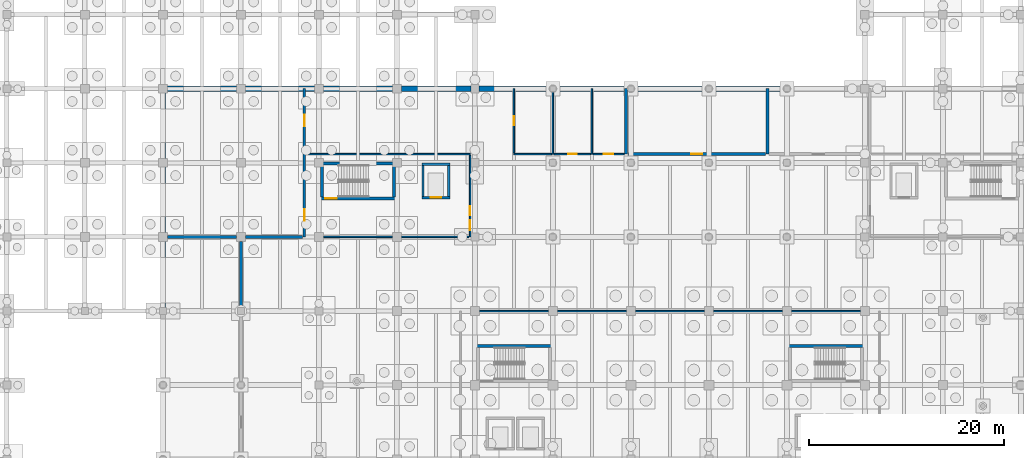
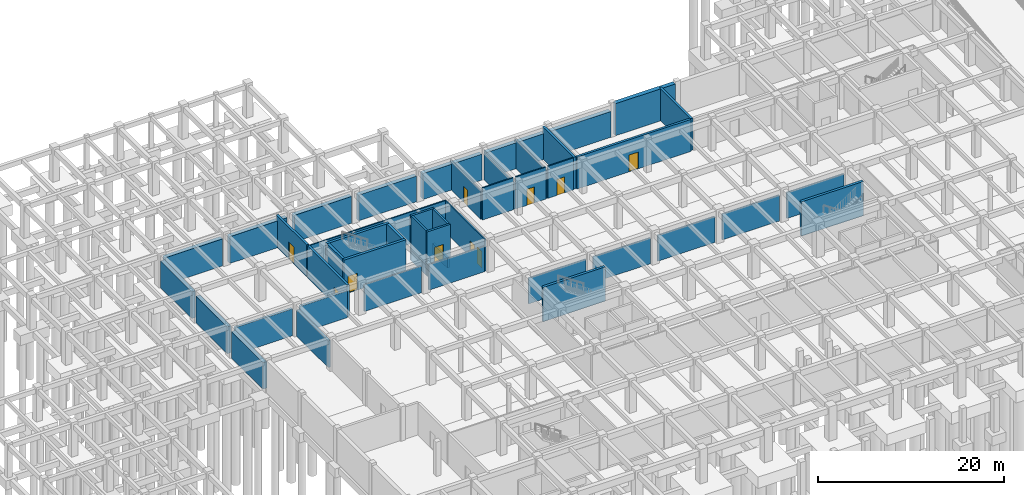
# One storey, part 37 of 49: 48 walls, 10 doors, 10 openings.
"""IFC4 building model written with IfcOpenShell, lengths in metres."""

from ifc_helpers import new_model, si_unit, direction, frame, frame_2d, origin, place, context, subcontext, project, spatial, rectangle, extrude, material, layer, layer_set, type_object, element, fill, save


model = new_model("IFC4")

# Units and contexts
model_context = context("Model", 3, precision=1e-05, world=origin(), true_north=direction((0.0, 1.0)))
body_context = subcontext(model_context, "Body", "Model", "MODEL_VIEW")
ifc_project = project(units=[si_unit("LENGTHUNIT", "METRE"), si_unit("AREAUNIT", "SQUARE_METRE"), si_unit("VOLUMEUNIT", "CUBIC_METRE"), si_unit("PLANEANGLEUNIT", "RADIAN"), si_unit("MASSUNIT", "GRAM", prefix="KILO")], contexts=[model_context])

# Site, building, storey
site_placement = place(None, origin())
site = spatial("IfcSite", under=ifc_project, at=site_placement, CompositionType="ELEMENT")
building_placement = place(site_placement, origin())
building = spatial("IfcBuilding", under=site, at=building_placement, Name="Zantavel Square City Hall", CompositionType="ELEMENT")
storey_placement = place(building_placement, frame((0.0, 0.0, -4.5)))
storey = spatial("IfcBuildingStorey", under=building, at=storey_placement, Name="B1", CompositionType="ELEMENT", Elevation=-4.5)

# Walls
ifc_material_1 = material(Name="Concrete C35/45", Category="concrete")
ifc_layer_1 = layer(ifc_material_1, 0.280029296875, Name="Concrete C35/45")
ifc_layer_set_1 = layer_set([ifc_layer_1], Name="Concrete C35/45")
wall_type_1 = type_object("IfcWallType", Name="Archive & Substation Vault Wall 280mm", PredefinedType="STANDARD", material=ifc_layer_set_1)
wall_1_placement = place(storey_placement, frame((79.5, 91.199951171875, 0.0), z_axis=(0.0, 0.0, 1.0), x_axis=(0.0, -1.0, 0.0)))
element("IfcWall", 1, at=wall_1_placement, inside=storey, type_object=wall_type_1, Name="B1 Interior Wall IW-B1-0006", PredefinedType="STANDARD", context=body_context, shape_type="SweptSolid", body=[
    extrude(rectangle(XDim=6.699951171875, YDim=0.280029296875, at=frame_2d((3.35009765625, 0.0))), origin(), (0.0, 0.0, 1.0), 4.199951171875),
])
wall_2_placement = place(storey_placement, frame((32.4599609375, 76.0, 0.0), z_axis=(0.0, 0.0, 1.0), x_axis=(1.0, 0.0, 0.0)))
element("IfcWall", 2, at=wall_2_placement, inside=storey, type_object=wall_type_1, Name="B1 Interior Wall IW-B1-0012", PredefinedType="STANDARD", context=body_context, shape_type="SweptSolid", body=[
    extrude(rectangle(XDim=7.080078125, YDim=0.280029296875, at=frame_2d((3.5400390625, 0.0))), origin(), (0.0, 0.0, 1.0), 3.550048828125),
])
wall_3_placement = place(storey_placement, frame((40.0, 75.5400390625, 0.0), z_axis=(0.0, 0.0, 1.0), x_axis=(0.0, -1.0, 0.0)))
element("IfcWall", 3, at=wall_3_placement, inside=storey, type_object=wall_type_1, Name="B1 Interior Wall IW-B1-0013", PredefinedType="STANDARD", context=body_context, shape_type="SweptSolid", body=[
    extrude(rectangle(XDim=6.755126953125, YDim=0.280029296875, at=frame_2d((3.37744140625, 0.0))), origin(), (0.0, 0.0, 1.0), 3.47998046875),
])

# Wall, opening, door
wall_4_placement = place(storey_placement, frame((46.5, 84.5, 0.0), z_axis=(0.0, 0.0, 1.0), x_axis=(0.0, -1.0, 0.0)))
wall_4 = element("IfcWall", 4, at=wall_4_placement, inside=storey, type_object=wall_type_1, Name="B1 Interior Wall IW-B1-0016", PredefinedType="STANDARD", context=body_context, shape_type="SweptSolid", body=[
    extrude(rectangle(XDim=8.5, YDim=0.280029296875, at=frame_2d((4.25, 0.0))), origin(), (0.0, 0.0, 1.0), 4.159912109375),
])
opening_1_placement = place(wall_4_placement, frame((5.675048828125, 0.0, 0.0)))
opening_1 = element("IfcOpeningElement", 5, at=opening_1_placement, cuts=wall_4, Name="Opening D-0007", PredefinedType="OPENING", context=body_context, shape_type="SweptSolid", body=[
    extrude(rectangle(XDim=1.14990234375, YDim=2.199951171875, at=frame_2d((0.574951171875, 1.10009765625))), frame((0.0, 0.14990234375, 0.0), z_axis=(0.0, -1.0, 0.0), x_axis=(1.0, 0.0, 0.0)), (0.0, 0.0, 1.0), 0.300048828125),
])
ifc_material_2 = material(Name="Steel ASTM A500 Grade B", Category="steel")
door_type_1 = type_object("IfcDoorType", Name="Archive & Plant Fire Door 1150x2200 FD90S", OperationType="NOTDEFINED", PredefinedType="DOOR", material=ifc_material_2)
door_1_placement = place(opening_1_placement, origin())
door_1 = element("IfcDoor", 6, at=door_1_placement, inside=storey, type_object=door_type_1, Name="B1 Fire Pump and Cistern Room Door", OperationType="SINGLE_SWING_LEFT", OverallHeight=2.199951171875, OverallWidth=1.14990234375, PredefinedType="DOOR", context=body_context, shape_type="SweptSolid", body=[
    extrude(rectangle(XDim=1.14990234375, YDim=2.199951171875, at=frame_2d((0.574951171875, 1.10009765625))), frame((0.0, 0.02490234375, 0.0), z_axis=(0.0, -1.0, 0.0), x_axis=(1.0, 0.0, 0.0)), (0.0, 0.0, 1.0), 0.050048828125),
])
fill(opening_1, door_1)

# Wall
wall_5_placement = place(storey_placement, frame((46.31005859375, 76.0, 0.0), z_axis=(0.0, 0.0, 1.0), x_axis=(-1.0, 0.0, 0.0)))
element("IfcWall", 7, at=wall_5_placement, inside=storey, type_object=wall_type_1, Name="B1 Interior Wall IW-B1-0017", PredefinedType="STANDARD", context=body_context, shape_type="SweptSolid", body=[
    extrude(rectangle(XDim=5.85009765625, YDim=0.280029296875, at=frame_2d((2.925048828125, 0.0))), origin(), (0.0, 0.0, 1.0), 3.510009765625),
])

# Wall, opening, door
wall_6_placement = place(storey_placement, frame((46.5, 91.199951171875, 0.0), z_axis=(0.0, 0.0, 1.0), x_axis=(0.0, -1.0, 0.0)))
wall_6 = element("IfcWall", 8, at=wall_6_placement, inside=storey, type_object=wall_type_1, Name="B1 Interior Wall IW-B1-0018", PredefinedType="STANDARD", context=body_context, shape_type="SweptSolid", body=[
    extrude(rectangle(XDim=6.510009765625, YDim=0.280029296875, at=frame_2d((3.2548828125, 0.0))), origin(), (0.0, 0.0, 1.0), 4.159912109375),
])
opening_2_placement = place(wall_6_placement, frame((2.679931640625, 0.0, 0.0)))
opening_2 = element("IfcOpeningElement", 9, at=opening_2_placement, cuts=wall_6, Name="Opening D-0008", PredefinedType="OPENING", context=body_context, shape_type="SweptSolid", body=[
    extrude(rectangle(XDim=1.14990234375, YDim=2.199951171875, at=frame_2d((0.574951171875, 1.10009765625))), frame((0.0, 0.14990234375, 0.0), z_axis=(0.0, -1.0, 0.0), x_axis=(1.0, 0.0, 0.0)), (0.0, 0.0, 1.0), 0.300048828125),
])
door_2_placement = place(opening_2_placement, origin())
door_2 = element("IfcDoor", 10, at=door_2_placement, inside=storey, type_object=door_type_1, Name="B1 Fire Pump and Cistern Room Door", OperationType="SINGLE_SWING_RIGHT", OverallHeight=2.199951171875, OverallWidth=1.14990234375, PredefinedType="DOOR", context=body_context, shape_type="SweptSolid", body=[
    extrude(rectangle(XDim=1.14990234375, YDim=2.199951171875, at=frame_2d((0.574951171875, 1.10009765625))), frame((0.0, 0.02490234375, 0.0), z_axis=(0.0, -1.0, 0.0), x_axis=(1.0, 0.0, 0.0)), (0.0, 0.0, 1.0), 0.050048828125),
])
fill(opening_2, door_2)

# Wall
wall_7_placement = place(storey_placement, frame((94.0, 91.199951171875, 0.0), z_axis=(0.0, 0.0, 1.0), x_axis=(0.0, -1.0, 0.0)))
element("IfcWall", 11, at=wall_7_placement, inside=storey, type_object=wall_type_1, Name="B1 Interior Wall IW-B1-0019", PredefinedType="STANDARD", context=body_context, shape_type="SweptSolid", body=[
    extrude(rectangle(XDim=6.699951171875, YDim=0.280029296875, at=frame_2d((3.35009765625, 0.0))), origin(), (0.0, 0.0, 1.0), 4.199951171875),
])

# Wall, opening, door
wall_8_placement = place(storey_placement, frame((93.81005859375, 84.5, 0.0), z_axis=(0.0, 0.0, 1.0), x_axis=(-1.0, 0.0, 0.0)))
wall_8 = element("IfcWall", 12, at=wall_8_placement, inside=storey, type_object=wall_type_1, Name="B1 Interior Wall IW-B1-0020", PredefinedType="STANDARD", context=body_context, shape_type="SweptSolid", body=[
    extrude(rectangle(XDim=14.1201171875, YDim=0.280029296875, at=frame_2d((7.06005859375, 0.0))), origin(), (0.0, 0.0, 1.0), 4.199951171875),
])
opening_3_placement = place(wall_8_placement, frame((6.485107421875, 0.0, 0.0)))
opening_3 = element("IfcOpeningElement", 13, at=opening_3_placement, cuts=wall_8, Name="Opening D-0009", PredefinedType="OPENING", context=body_context, shape_type="SweptSolid", body=[
    extrude(rectangle(XDim=1.14990234375, YDim=2.199951171875, at=frame_2d((0.574951171875, 1.10009765625))), frame((0.0, 0.14990234375, 0.0), z_axis=(0.0, -1.0, 0.0), x_axis=(1.0, 0.0, 0.0)), (0.0, 0.0, 1.0), 0.300048828125),
])
door_3_placement = place(opening_3_placement, origin())
door_3 = element("IfcDoor", 14, at=door_3_placement, inside=storey, type_object=door_type_1, Name="B1 Potable and Rainwater Cistern Room Door", OperationType="SINGLE_SWING_LEFT", OverallHeight=2.199951171875, OverallWidth=1.14990234375, PredefinedType="DOOR", context=body_context, shape_type="SweptSolid", body=[
    extrude(rectangle(XDim=1.14990234375, YDim=2.199951171875, at=frame_2d((0.574951171875, 1.10009765625))), frame((0.0, 0.02490234375, 0.0), z_axis=(0.0, -1.0, 0.0), x_axis=(1.0, 0.0, 0.0)), (0.0, 0.0, 1.0), 0.050048828125),
])
fill(opening_3, door_3)

# Walls
ifc_material_3 = material(Name="Concrete C40/50", Category="concrete")
ifc_layer_2 = layer(ifc_material_3, 0.47998046875, Name="Concrete C40/50")
ifc_layer_set_2 = layer_set([ifc_layer_2], Name="Concrete C40/50")
wall_type_2 = type_object("IfcWallType", Name="Basement Retaining Wall RC 480mm C40/50", PredefinedType="SHEAR", material=ifc_layer_set_2)
for number, where, z_axis, x_axis, name in (
    (15, (32.0, 76.449951171875, 0.0), (0.0, 0.0, 1.0), (0.0, 1.0, 0.0), "B1 Exterior Wall EW-B1-001"),
    (16, (32.0, 84.050048828125, 0.0), (0.0, 0.0, 1.0), (0.0, 1.0, 0.0), "B1 Exterior Wall EW-B1-002"),
):
    element("IfcWall", number, at=place(storey_placement, frame(where, z_axis=z_axis, x_axis=x_axis)), inside=storey, type_object=wall_type_2, Name=name, PredefinedType="SHEAR", context=body_context, shape_type="SweptSolid", body=[
        extrude(rectangle(XDim=6.699951171875, YDim=0.47998046875, at=frame_2d((3.35009765625, 0.0))), origin(), (0.0, 0.0, 1.0), 3.5),
    ])
wall_9_placement = place(storey_placement, frame((32.0, 68.77490234375, 0.0), z_axis=(0.0, 0.0, 1.0), x_axis=(0.0, 1.0, 0.0)))
element("IfcWall", 17, at=wall_9_placement, inside=storey, type_object=wall_type_2, Name="B1 Exterior Wall EW-B1-040", PredefinedType="SHEAR", context=body_context, shape_type="SweptSolid", body=[
    extrude(rectangle(XDim=6.775146484375, YDim=0.47998046875, at=frame_2d((3.3876953125, 0.0))), origin(), (0.0, 0.0, 1.0), 3.47998046875),
])
ifc_layer_3 = layer(ifc_material_3, 0.52001953125, Name="Concrete C40/50")
ifc_layer_set_3 = layer_set([ifc_layer_3], Name="Concrete C40/50")
wall_type_3 = type_object("IfcWallType", Name="Cistern Perimeter Retaining Wall RC 520mm C40/50", PredefinedType="SHEAR", material=ifc_layer_set_3)
wall_10_placement = place(storey_placement, frame((32.449951171875, 91.199951171875, 0.0), z_axis=(0.0, 0.0, 1.0), x_axis=(1.0, 0.0, 0.0)))
element("IfcWall", 18, at=wall_10_placement, inside=storey, type_object=wall_type_3, Name="B1 Exterior Wall EW-B1-003", PredefinedType="SHEAR", context=body_context, shape_type="SweptSolid", body=[
    extrude(rectangle(XDim=7.10009765625, YDim=0.52001953125, at=frame_2d((3.550048828125, 0.0))), origin(), (0.0, 0.0, 1.0), 3.550048828125),
])
for number, where, z_axis, x_axis, name in (
    (19, (40.449951171875, 91.199951171875, 0.0), (0.0, 0.0, 1.0), (1.0, 0.0, 0.0), "B1 Exterior Wall EW-B1-004"),
    (20, (48.449951171875, 91.199951171875, 0.0), (0.0, 0.0, 1.0), (1.0, 0.0, 0.0), "B1 Exterior Wall EW-B1-005"),
):
    element("IfcWall", number, at=place(storey_placement, frame(where, z_axis=z_axis, x_axis=x_axis)), inside=storey, type_object=wall_type_3, Name=name, PredefinedType="SHEAR", context=body_context, shape_type="SweptSolid", body=[
        extrude(rectangle(XDim=7.10009765625, YDim=0.52001953125, at=frame_2d((3.550048828125, 0.0))), origin(), (0.0, 0.0, 1.0), 3.510009765625),
    ])
wall_11_placement = place(storey_placement, frame((56.449951171875, 91.199951171875, 0.0), z_axis=(0.0, 0.0, 1.0), x_axis=(1.0, 0.0, 0.0)))
element("IfcWall", 21, at=wall_11_placement, inside=storey, type_object=wall_type_3, Name="B1 Exterior Wall EW-B1-006", PredefinedType="SHEAR", context=body_context, shape_type="SweptSolid", body=[
    extrude(rectangle(XDim=7.125, YDim=0.52001953125, at=frame_2d((3.5625, 0.0))), origin(), (0.0, 0.0, 1.0), 3.360107421875),
])
wall_12_placement = place(storey_placement, frame((64.425048828125, 91.199951171875, 0.0), z_axis=(0.0, 0.0, 1.0), x_axis=(1.0, 0.0, 0.0)))
element("IfcWall", 22, at=wall_12_placement, inside=storey, type_object=wall_type_3, Name="B1 Exterior Wall EW-B1-007", PredefinedType="SHEAR", context=body_context, shape_type="SweptSolid", body=[
    extrude(rectangle(XDim=7.27490234375, YDim=0.52001953125, at=frame_2d((3.637451171875, 0.0))), origin(), (0.0, 0.0, 1.0), 3.39990234375),
])
for number, where, z_axis, x_axis, name in (
    (23, (72.300048828125, 91.199951171875, 0.0), (0.0, 0.0, 1.0), (1.0, 0.0, 0.0), "B1 Exterior Wall EW-B1-008"),
    (24, (80.300048828125, 91.199951171875, 0.0), (0.0, 0.0, 1.0), (1.0, 0.0, 0.0), "B1 Exterior Wall EW-B1-009"),
):
    element("IfcWall", number, at=place(storey_placement, frame(where, z_axis=z_axis, x_axis=x_axis)), inside=storey, type_object=wall_type_3, Name=name, PredefinedType="SHEAR", context=body_context, shape_type="SweptSolid", body=[
        extrude(rectangle(XDim=7.39990234375, YDim=0.52001953125, at=frame_2d((3.699951171875, 0.0))), origin(), (0.0, 0.0, 1.0), 3.39990234375),
    ])
wall_13_placement = place(storey_placement, frame((88.300048828125, 91.199951171875, 0.0), z_axis=(0.0, 0.0, 1.0), x_axis=(1.0, 0.0, 0.0)))
element("IfcWall", 25, at=wall_13_placement, inside=storey, type_object=wall_type_3, Name="B1 Exterior Wall EW-B1-010", PredefinedType="SHEAR", context=body_context, shape_type="SweptSolid", body=[
    extrude(rectangle(XDim=7.39990234375, YDim=0.52001953125, at=frame_2d((3.699951171875, 0.0))), origin(), (0.0, 0.0, 1.0), 4.199951171875),
])

# Wall, opening, door
ifc_layer_4 = layer(ifc_material_3, 0.320068359375, Name="Concrete C40/50")
ifc_layer_set_4 = layer_set([ifc_layer_4], Name="Concrete C40/50")
wall_type_4 = type_object("IfcWallType", Name="Core Shear Wall RC 320mm C40/50", PredefinedType="SHEAR", material=ifc_layer_set_4)
wall_14_placement = place(storey_placement, frame((55.85009765625, 79.93994140625, 0.0), z_axis=(0.0, 0.0, 1.0), x_axis=(-1.0, 0.0, 0.0)))
wall_14 = element("IfcWall", 26, at=wall_14_placement, inside=storey, type_object=wall_type_4, Name="B1 Exit Stair 1 North-West Core Shear Wall South", PredefinedType="SHEAR", context=body_context, shape_type="SweptSolid", body=[
    extrude(rectangle(XDim=7.7001953125, YDim=0.320068359375, at=frame_2d((3.85009765625, 0.0))), origin(), (0.0, 0.0, 1.0), 4.5),
])
opening_4_placement = place(wall_14_placement, frame((6.0, 0.0, 0.0)))
opening_4 = element("IfcOpeningElement", 27, at=opening_4_placement, cuts=wall_14, Name="Opening SD-001", PredefinedType="OPENING", context=body_context, shape_type="SweptSolid", body=[
    extrude(rectangle(XDim=1.199951171875, YDim=2.199951171875, at=frame_2d((0.60009765625, 1.10009765625))), frame((0.0, 0.169921875, 0.0), z_axis=(0.0, -1.0, 0.0), x_axis=(1.0, 0.0, 0.0)), (0.0, 0.0, 1.0), 0.340087890625),
])
door_type_2 = type_object("IfcDoorType", Name="Enclosed Exit Stairwell Fire Door 1200x2200 FD90S", OperationType="NOTDEFINED", PredefinedType="DOOR", material=ifc_material_2)
door_4_placement = place(opening_4_placement, origin())
door_4 = element("IfcDoor", 28, at=door_4_placement, inside=storey, type_object=door_type_2, Name="B1 Exit Stair 1 North-West Core Fire Door", OperationType="SINGLE_SWING_LEFT", OverallHeight=2.199951171875, OverallWidth=1.199951171875, PredefinedType="DOOR", context=body_context, shape_type="SweptSolid", body=[
    extrude(rectangle(XDim=1.199951171875, YDim=2.199951171875, at=frame_2d((0.60009765625, 1.10009765625))), frame((0.0, 0.02490234375, 0.0), z_axis=(0.0, -1.0, 0.0), x_axis=(1.0, 0.0, 0.0)), (0.0, 0.0, 1.0), 0.050048828125),
])
fill(opening_4, door_4)

# Walls
wall_15_placement = place(storey_placement, frame((48.31005859375, 80.10009765625, 0.0), z_axis=(0.0, 0.0, 1.0), x_axis=(0.0, 1.0, 0.0)))
element("IfcWall", 29, at=wall_15_placement, inside=storey, type_object=wall_type_4, Name="B1 Exit Stair 1 North-West Core Shear Wall West", PredefinedType="SHEAR", context=body_context, shape_type="SweptSolid", body=[
    extrude(rectangle(XDim=3.27001953125, YDim=0.320068359375, at=frame_2d((1.635009765625, 0.0))), origin(), (0.0, 0.0, 1.0), 4.5),
])
wall_16_placement = place(storey_placement, frame((48.14990234375, 83.530029296875, 0.0), z_axis=(0.0, 0.0, 1.0), x_axis=(1.0, 0.0, 0.0)))
element("IfcWall", 30, at=wall_16_placement, inside=storey, type_object=wall_type_4, Name="B1 Exit Stair 1 North-West Core Shear Wall North", PredefinedType="SHEAR", context=body_context, shape_type="SweptSolid", body=[
    extrude(rectangle(XDim=7.7001953125, YDim=0.320068359375, at=frame_2d((3.85009765625, 0.0))), origin(), (0.0, 0.0, 1.0), 4.5),
])
wall_17_placement = place(storey_placement, frame((55.68994140625, 83.3701171875, 0.0), z_axis=(0.0, 0.0, 1.0), x_axis=(0.0, -1.0, 0.0)))
element("IfcWall", 31, at=wall_17_placement, inside=storey, type_object=wall_type_4, Name="B1 Exit Stair 1 North-West Core Shear Wall East", PredefinedType="SHEAR", context=body_context, shape_type="SweptSolid", body=[
    extrude(rectangle(XDim=3.27001953125, YDim=0.320068359375, at=frame_2d((1.635009765625, 0.0))), origin(), (0.0, 0.0, 1.0), 4.5),
])
for number, where, z_axis, x_axis, name in (
    (32, (64.14990234375, 64.830078125, 0.0), (0.0, 0.0, 1.0), (1.0, 0.0, 0.0), "B1 Exit Stair 5 Central West Core Shear Wall North"),
    (33, (96.14990234375, 64.830078125, 0.0), (0.0, 0.0, 1.0), (1.0, 0.0, 0.0), "B1 Exit Stair 6 Central East Core Shear Wall North"),
):
    element("IfcWall", number, at=place(storey_placement, frame(where, z_axis=z_axis, x_axis=x_axis)), inside=storey, type_object=wall_type_4, Name=name, PredefinedType="SHEAR", context=body_context, shape_type="SweptSolid", body=[
        extrude(rectangle(XDim=7.7001953125, YDim=0.320068359375, at=frame_2d((3.85009765625, 0.0))), origin(), (0.0, 0.0, 1.0), 4.5),
    ])
ifc_material_4 = material(Name="Gypsum acoustic stud assembly", Category="masonry")
ifc_layer_5 = layer(ifc_material_4, 0.14990234375, Name="Gypsum acoustic stud assembly")
ifc_layer_set_5 = layer_set([ifc_layer_5], Name="Gypsum acoustic stud assembly")
wall_type_5 = type_object("IfcWallType", Name="Department Office Partition 150mm", PredefinedType="PARTITIONING", material=ifc_layer_set_5)
for number, where, z_axis, x_axis, name in (
    (34, (64.4599609375, 68.39990234375, 0.0), (0.0, 0.0, 1.0), (1.0, 0.0, 0.0), "B1 Interior Wall IW-B1-0031"),
    (35, (72.4599609375, 68.39990234375, 0.0), (0.0, 0.0, 1.0), (1.0, 0.0, 0.0), "B1 Interior Wall IW-B1-0032"),
    (36, (80.4599609375, 68.39990234375, 0.0), (0.0, 0.0, 1.0), (1.0, 0.0, 0.0), "B1 Interior Wall IW-B1-0033"),
    (37, (88.4599609375, 68.39990234375, 0.0), (0.0, 0.0, 1.0), (1.0, 0.0, 0.0), "B1 Interior Wall IW-B1-0034"),
    (38, (96.4599609375, 68.39990234375, 0.0), (0.0, 0.0, 1.0), (1.0, 0.0, 0.0), "B1 Interior Wall IW-B1-0035"),
):
    element("IfcWall", number, at=place(storey_placement, frame(where, z_axis=z_axis, x_axis=x_axis)), inside=storey, type_object=wall_type_5, Name=name, PredefinedType="PARTITIONING", context=body_context, shape_type="SweptSolid", body=[
        extrude(rectangle(XDim=7.080078125, YDim=0.14990234375, at=frame_2d((3.5400390625, 0.0))), origin(), (0.0, 0.0, 1.0), 3.39990234375),
    ])
wall_18_placement = place(storey_placement, frame((46.68994140625, 84.5, 0.0), z_axis=(0.0, 0.0, 1.0), x_axis=(1.0, 0.0, 0.0)))
element("IfcWall", 39, at=wall_18_placement, inside=storey, type_object=wall_type_5, Name="B1 Interior Wall IW-B1-0038", PredefinedType="PARTITIONING", context=body_context, shape_type="SweptSolid", body=[
    extrude(rectangle(XDim=16.81005859375, YDim=0.14990234375, at=frame_2d((8.405029296875, 0.0))), origin(), (0.0, 0.0, 1.0), 4.159912109375),
])

# Wall, openings, doors
wall_19_placement = place(storey_placement, frame((63.5, 84.375, 0.0), z_axis=(0.0, 0.0, 1.0), x_axis=(0.0, -1.0, 0.0)))
wall_19 = element("IfcWall", 40, at=wall_19_placement, inside=storey, type_object=wall_type_5, Name="B1 Interior Wall IW-B1-0039", PredefinedType="PARTITIONING", context=body_context, shape_type="SweptSolid", body=[
    extrude(rectangle(XDim=8.375, YDim=0.14990234375, at=frame_2d((4.1875, 0.0))), origin(), (0.0, 0.0, 1.0), 4.159912109375),
])
opening_5_placement = place(wall_19_placement, frame((5.21240234375, 0.0, 0.0)))
opening_5 = element("IfcOpeningElement", 41, at=opening_5_placement, cuts=wall_19, Name="Opening D-0016", PredefinedType="OPENING", context=body_context, shape_type="SweptSolid", body=[
    extrude(rectangle(XDim=0.949951171875, YDim=2.10009765625, at=frame_2d((0.47509765625, 1.050048828125))), frame((0.0, 0.0849609375, 0.0), z_axis=(0.0, -1.0, 0.0), x_axis=(1.0, 0.0, 0.0)), (0.0, 0.0, 1.0), 0.169921875),
])
opening_6_placement = place(wall_19_placement, frame((6.6875, 0.0, 0.0)))
opening_6 = element("IfcOpeningElement", 42, at=opening_6_placement, cuts=wall_19, Name="Opening D-0021", PredefinedType="OPENING", context=body_context, shape_type="SweptSolid", body=[
    extrude(rectangle(XDim=1.0, YDim=2.14990234375, at=frame_2d((0.5, 1.074951171875))), frame((0.0, 0.0849609375, 0.0), z_axis=(0.0, -1.0, 0.0), x_axis=(1.0, 0.0, 0.0)), (0.0, 0.0, 1.0), 0.169921875),
])
ifc_material_5 = material(Name="Solid oak hardwood", Category="wood")
door_type_3 = type_object("IfcDoorType", Name="Office Internal Oak Single Door 950x2100", OperationType="NOTDEFINED", PredefinedType="DOOR", material=ifc_material_5)
door_5_placement = place(opening_5_placement, origin())
door_5 = element("IfcDoor", 43, at=door_5_placement, inside=storey, type_object=door_type_3, Name="B1 Subterranean Municipal Car Park Door", OperationType="SINGLE_SWING_RIGHT", OverallHeight=2.10009765625, OverallWidth=0.949951171875, PredefinedType="DOOR", context=body_context, shape_type="SweptSolid", body=[
    extrude(rectangle(XDim=0.949951171875, YDim=2.10009765625, at=frame_2d((0.47509765625, 1.050048828125))), frame((0.0, 0.02490234375, 0.0), z_axis=(0.0, -1.0, 0.0), x_axis=(1.0, 0.0, 0.0)), (0.0, 0.0, 1.0), 0.050048828125),
])
fill(opening_5, door_5)
door_type_4 = type_object("IfcDoorType", Name="Suite Internal Oak Single Door 1000x2150", OperationType="NOTDEFINED", PredefinedType="DOOR", material=ifc_material_5)
door_6_placement = place(opening_6_placement, origin())
door_6 = element("IfcDoor", 44, at=door_6_placement, inside=storey, type_object=door_type_4, Name="B1 Subterranean Municipal Car Park Door", OperationType="SINGLE_SWING_LEFT", OverallHeight=2.14990234375, OverallWidth=1.0, PredefinedType="DOOR", context=body_context, shape_type="SweptSolid", body=[
    extrude(rectangle(XDim=1.0, YDim=2.14990234375, at=frame_2d((0.5, 1.074951171875))), frame((0.0, 0.02490234375, 0.0), z_axis=(0.0, -1.0, 0.0), x_axis=(1.0, 0.0, 0.0)), (0.0, 0.0, 1.0), 0.050048828125),
])
fill(opening_6, door_6)

# Walls
wall_20_placement = place(storey_placement, frame((63.375, 76.0, 0.0), z_axis=(0.0, 0.0, 1.0), x_axis=(-1.0, 0.0, 0.0)))
element("IfcWall", 45, at=wall_20_placement, inside=storey, type_object=wall_type_5, Name="B1 Interior Wall IW-B1-0040", PredefinedType="PARTITIONING", context=body_context, shape_type="SweptSolid", body=[
    extrude(rectangle(XDim=6.9150390625, YDim=0.14990234375, at=frame_2d((3.45751953125, 0.0))), origin(), (0.0, 0.0, 1.0), 3.360107421875),
])
wall_21_placement = place(storey_placement, frame((55.5400390625, 76.0, 0.0), z_axis=(0.0, 0.0, 1.0), x_axis=(-1.0, 0.0, 0.0)))
element("IfcWall", 46, at=wall_21_placement, inside=storey, type_object=wall_type_5, Name="B1 Interior Wall IW-B1-0041", PredefinedType="PARTITIONING", context=body_context, shape_type="SweptSolid", body=[
    extrude(rectangle(XDim=7.080078125, YDim=0.14990234375, at=frame_2d((3.5400390625, 0.0))), origin(), (0.0, 0.0, 1.0), 3.510009765625),
])
ifc_layer_6 = layer(ifc_material_3, 0.25, Name="Concrete C40/50")
ifc_layer_set_6 = layer_set([ifc_layer_6], Name="Concrete C40/50")
wall_type_6 = type_object("IfcWallType", Name="Lift Shaft Wall RC 250mm C40/50", PredefinedType="SHEAR", material=ifc_layer_set_6)
wall_22_placement = place(storey_placement, frame((61.449951171875, 80.02490234375, -1.35009765625), z_axis=(0.0, 0.0, 1.0), x_axis=(-1.0, 0.0, 0.0)))
element("IfcWall", 47, at=wall_22_placement, inside=storey, type_object=wall_type_6, Name="Lift LF05 Pit Wall S", PredefinedType="SHEAR", context=body_context, shape_type="SweptSolid", body=[
    extrude(rectangle(XDim=2.89990234375, YDim=0.25, at=frame_2d((1.449951171875, 0.0))), origin(), (0.0, 0.0, 1.0), 1.35009765625),
])
wall_23_placement = place(storey_placement, frame((58.675048828125, 80.14990234375, -1.35009765625), z_axis=(0.0, 0.0, 1.0), x_axis=(0.0, 1.0, 0.0)))
element("IfcWall", 48, at=wall_23_placement, inside=storey, type_object=wall_type_6, Name="Lift LF05 Pit Wall W", PredefinedType="SHEAR", context=body_context, shape_type="SweptSolid", body=[
    extrude(rectangle(XDim=3.2001953125, YDim=0.25, at=frame_2d((1.60009765625, 0.0))), origin(), (0.0, 0.0, 1.0), 1.35009765625),
])
wall_24_placement = place(storey_placement, frame((58.550048828125, 83.47509765625, -1.35009765625), z_axis=(0.0, 0.0, 1.0), x_axis=(1.0, 0.0, 0.0)))
element("IfcWall", 49, at=wall_24_placement, inside=storey, type_object=wall_type_6, Name="Lift LF05 Pit Wall N", PredefinedType="SHEAR", context=body_context, shape_type="SweptSolid", body=[
    extrude(rectangle(XDim=2.89990234375, YDim=0.25, at=frame_2d((1.449951171875, 0.0))), origin(), (0.0, 0.0, 1.0), 1.35009765625),
])
wall_25_placement = place(storey_placement, frame((61.324951171875, 83.35009765625, -1.35009765625), z_axis=(0.0, 0.0, 1.0), x_axis=(0.0, -1.0, 0.0)))
element("IfcWall", 50, at=wall_25_placement, inside=storey, type_object=wall_type_6, Name="Lift LF05 Pit Wall E", PredefinedType="SHEAR", context=body_context, shape_type="SweptSolid", body=[
    extrude(rectangle(XDim=3.2001953125, YDim=0.25, at=frame_2d((1.60009765625, 0.0))), origin(), (0.0, 0.0, 1.0), 1.35009765625),
])

# Wall, opening, door
wall_26_placement = place(storey_placement, frame((61.449951171875, 80.02490234375, 0.0), z_axis=(0.0, 0.0, 1.0), x_axis=(-1.0, 0.0, 0.0)))
wall_26 = element("IfcWall", 51, at=wall_26_placement, inside=storey, type_object=wall_type_6, Name="B1 Lift LF05 Shaft Wall South", PredefinedType="SHEAR", context=body_context, shape_type="SweptSolid", body=[
    extrude(rectangle(XDim=2.89990234375, YDim=0.25, at=frame_2d((1.449951171875, 0.0))), origin(), (0.0, 0.0, 1.0), 4.5),
])
opening_7_placement = place(wall_26_placement, frame((0.89990234375, 0.0, 0.0)))
opening_7 = element("IfcOpeningElement", 52, at=opening_7_placement, cuts=wall_26, Name="Opening LD-LF05-B1", PredefinedType="OPENING", context=body_context, shape_type="SweptSolid", body=[
    extrude(rectangle(XDim=1.10009765625, YDim=2.14990234375, at=frame_2d((0.550048828125, 1.074951171875))), frame((0.0, 0.135009765625, 0.0), z_axis=(0.0, -1.0, 0.0), x_axis=(1.0, 0.0, 0.0)), (0.0, 0.0, 1.0), 0.27001953125),
])
ifc_material_6 = material(Name="Stainless steel 316", Category="steel")
door_type_5 = type_object("IfcDoorType", Name="Lift Landing Sliding Door 1100x2150 FD90S", OperationType="NOTDEFINED", PredefinedType="DOOR", material=ifc_material_6)
door_7_placement = place(opening_7_placement, origin())
door_7 = element("IfcDoor", 53, at=door_7_placement, inside=storey, type_object=door_type_5, Name="B1 Lift LF05 Sliding Landing Door", OperationType="DOUBLE_DOOR_SLIDING", OverallHeight=2.14990234375, OverallWidth=1.10009765625, PredefinedType="DOOR", context=body_context, shape_type="SweptSolid", body=[
    extrude(rectangle(XDim=1.10009765625, YDim=2.14990234375, at=frame_2d((0.550048828125, 1.074951171875))), frame((0.0, 0.02490234375, 0.0), z_axis=(0.0, -1.0, 0.0), x_axis=(1.0, 0.0, 0.0)), (0.0, 0.0, 1.0), 0.050048828125),
])
fill(opening_7, door_7)

# Walls
wall_27_placement = place(storey_placement, frame((58.675048828125, 80.14990234375, 0.0), z_axis=(0.0, 0.0, 1.0), x_axis=(0.0, 1.0, 0.0)))
element("IfcWall", 54, at=wall_27_placement, inside=storey, type_object=wall_type_6, Name="B1 Lift LF05 Shaft Wall West", PredefinedType="SHEAR", context=body_context, shape_type="SweptSolid", body=[
    extrude(rectangle(XDim=3.2001953125, YDim=0.25, at=frame_2d((1.60009765625, 0.0))), origin(), (0.0, 0.0, 1.0), 4.5),
])
wall_28_placement = place(storey_placement, frame((58.550048828125, 83.47509765625, 0.0), z_axis=(0.0, 0.0, 1.0), x_axis=(1.0, 0.0, 0.0)))
element("IfcWall", 55, at=wall_28_placement, inside=storey, type_object=wall_type_6, Name="B1 Lift LF05 Shaft Wall North", PredefinedType="SHEAR", context=body_context, shape_type="SweptSolid", body=[
    extrude(rectangle(XDim=2.89990234375, YDim=0.25, at=frame_2d((1.449951171875, 0.0))), origin(), (0.0, 0.0, 1.0), 4.5),
])
wall_29_placement = place(storey_placement, frame((61.324951171875, 83.35009765625, 0.0), z_axis=(0.0, 0.0, 1.0), x_axis=(0.0, -1.0, 0.0)))
element("IfcWall", 56, at=wall_29_placement, inside=storey, type_object=wall_type_6, Name="B1 Lift LF05 Shaft Wall East", PredefinedType="SHEAR", context=body_context, shape_type="SweptSolid", body=[
    extrude(rectangle(XDim=3.2001953125, YDim=0.25, at=frame_2d((1.60009765625, 0.0))), origin(), (0.0, 0.0, 1.0), 4.5),
])
ifc_material_7 = material(Name="Cantera volcanic tuff stone", Category="masonry")
ifc_layer_7 = layer(ifc_material_7, 0.159912109375, Name="Cantera volcanic tuff stone")
ifc_layer_set_7 = layer_set([ifc_layer_7], Name="Cantera volcanic tuff stone")
wall_type_7 = type_object("IfcWallType", Name="Restroom Wet-Wall Partition 160mm", PredefinedType="PARTITIONING", material=ifc_layer_set_7)
wall_30_placement = place(storey_placement, frame((72.0, 90.889892578125, 0.0), z_axis=(0.0, 0.0, 1.0), x_axis=(0.0, -1.0, 0.0)))
element("IfcWall", 57, at=wall_30_placement, inside=storey, type_object=wall_type_7, Name="B1 Interior Wall IW-B1-0001", PredefinedType="PARTITIONING", context=body_context, shape_type="SweptSolid", body=[
    extrude(rectangle(XDim=6.389892578125, YDim=0.159912109375, at=frame_2d((3.19482421875, 0.0))), origin(), (0.0, 0.0, 1.0), 3.5),
])
wall_31_placement = place(storey_placement, frame((71.8701171875, 84.5, 0.0), z_axis=(0.0, 0.0, 1.0), x_axis=(-1.0, 0.0, 0.0)))
element("IfcWall", 58, at=wall_31_placement, inside=storey, type_object=wall_type_7, Name="B1 Interior Wall IW-B1-0002", PredefinedType="PARTITIONING", context=body_context, shape_type="SweptSolid", body=[
    extrude(rectangle(XDim=3.8701171875, YDim=0.159912109375, at=frame_2d((1.93505859375, 0.0))), origin(), (0.0, 0.0, 1.0), 4.199951171875),
])

# Wall, opening, door
wall_32_placement = place(storey_placement, frame((68.0, 84.6298828125, 0.0), z_axis=(0.0, 0.0, 1.0), x_axis=(0.0, 1.0, 0.0)))
wall_32 = element("IfcWall", 59, at=wall_32_placement, inside=storey, type_object=wall_type_7, Name="B1 Interior Wall IW-B1-0003", PredefinedType="PARTITIONING", context=body_context, shape_type="SweptSolid", body=[
    extrude(rectangle(XDim=6.570068359375, YDim=0.159912109375, at=frame_2d((3.28515625, 0.0))), origin(), (0.0, 0.0, 1.0), 3.699951171875),
])
opening_8_placement = place(wall_32_placement, frame((2.8349609375, 0.0, 0.0)))
opening_8 = element("IfcOpeningElement", 60, at=opening_8_placement, cuts=wall_32, Name="Opening D-0001", PredefinedType="OPENING", context=body_context, shape_type="SweptSolid", body=[
    extrude(rectangle(XDim=0.89990234375, YDim=2.10009765625, at=frame_2d((0.449951171875, 1.050048828125))), frame((0.0, 0.08984375, 0.0), z_axis=(0.0, -1.0, 0.0), x_axis=(1.0, 0.0, 0.0)), (0.0, 0.0, 1.0), 0.179931640625),
])
door_type_6 = type_object("IfcDoorType", Name="Restroom Internal Single Door 900x2100", OperationType="NOTDEFINED", PredefinedType="DOOR", material=ifc_material_5)
door_8_placement = place(opening_8_placement, origin())
door_8 = element("IfcDoor", 61, at=door_8_placement, inside=storey, type_object=door_type_6, Name="B1 B1 Mens Restroom Door", OperationType="SINGLE_SWING_LEFT", OverallHeight=2.10009765625, OverallWidth=0.89990234375, PredefinedType="DOOR", context=body_context, shape_type="SweptSolid", body=[
    extrude(rectangle(XDim=0.89990234375, YDim=2.10009765625, at=frame_2d((0.449951171875, 1.050048828125))), frame((0.0, 0.02490234375, 0.0), z_axis=(0.0, -1.0, 0.0), x_axis=(1.0, 0.0, 0.0)), (0.0, 0.0, 1.0), 0.050048828125),
])
fill(opening_8, door_8)

# Wall
wall_33_placement = place(storey_placement, frame((76.0, 91.199951171875, 0.0), z_axis=(0.0, 0.0, 1.0), x_axis=(0.0, -1.0, 0.0)))
element("IfcWall", 62, at=wall_33_placement, inside=storey, type_object=wall_type_7, Name="B1 Interior Wall IW-B1-0004", PredefinedType="PARTITIONING", context=body_context, shape_type="SweptSolid", body=[
    extrude(rectangle(XDim=6.699951171875, YDim=0.159912109375, at=frame_2d((3.35009765625, 0.0))), origin(), (0.0, 0.0, 1.0), 3.699951171875),
])

# Wall, opening, door
wall_34_placement = place(storey_placement, frame((75.8701171875, 84.5, 0.0), z_axis=(0.0, 0.0, 1.0), x_axis=(-1.0, 0.0, 0.0)))
wall_34 = element("IfcWall", 63, at=wall_34_placement, inside=storey, type_object=wall_type_7, Name="B1 Interior Wall IW-B1-0005", PredefinedType="PARTITIONING", context=body_context, shape_type="SweptSolid", body=[
    extrude(rectangle(XDim=3.740234375, YDim=0.159912109375, at=frame_2d((1.8701171875, 0.0))), origin(), (0.0, 0.0, 1.0), 4.199951171875),
])
opening_9_placement = place(wall_34_placement, frame((1.419921875, 0.0, 0.0)))
opening_9 = element("IfcOpeningElement", 64, at=opening_9_placement, cuts=wall_34, Name="Opening D-0002", PredefinedType="OPENING", context=body_context, shape_type="SweptSolid", body=[
    extrude(rectangle(XDim=0.89990234375, YDim=2.10009765625, at=frame_2d((0.449951171875, 1.050048828125))), frame((0.0, 0.08984375, 0.0), z_axis=(0.0, -1.0, 0.0), x_axis=(1.0, 0.0, 0.0)), (0.0, 0.0, 1.0), 0.179931640625),
])
door_9_placement = place(opening_9_placement, origin())
door_9 = element("IfcDoor", 65, at=door_9_placement, inside=storey, type_object=door_type_6, Name="B1 B1 Womens Restroom Door", OperationType="SINGLE_SWING_RIGHT", OverallHeight=2.10009765625, OverallWidth=0.89990234375, PredefinedType="DOOR", context=body_context, shape_type="SweptSolid", body=[
    extrude(rectangle(XDim=0.89990234375, YDim=2.10009765625, at=frame_2d((0.449951171875, 1.050048828125))), frame((0.0, 0.02490234375, 0.0), z_axis=(0.0, -1.0, 0.0), x_axis=(1.0, 0.0, 0.0)), (0.0, 0.0, 1.0), 0.050048828125),
])
fill(opening_9, door_9)

wall_35_placement = place(storey_placement, frame((79.31005859375, 84.5, 0.0), z_axis=(0.0, 0.0, 1.0), x_axis=(-1.0, 0.0, 0.0)))
wall_35 = element("IfcWall", 66, at=wall_35_placement, inside=storey, type_object=wall_type_7, Name="B1 Interior Wall IW-B1-0007", PredefinedType="PARTITIONING", context=body_context, shape_type="SweptSolid", body=[
    extrude(rectangle(XDim=3.18017578125, YDim=0.159912109375, at=frame_2d((1.590087890625, 0.0))), origin(), (0.0, 0.0, 1.0), 4.199951171875),
])
opening_10_placement = place(wall_35_placement, frame((1.10009765625, 0.0, 0.0)))
opening_10 = element("IfcOpeningElement", 67, at=opening_10_placement, cuts=wall_35, Name="Opening D-0003", PredefinedType="OPENING", context=body_context, shape_type="SweptSolid", body=[
    extrude(rectangle(XDim=0.97998046875, YDim=2.10009765625, at=frame_2d((0.489990234375, 1.050048828125))), frame((0.0, 0.08984375, 0.0), z_axis=(0.0, -1.0, 0.0), x_axis=(1.0, 0.0, 0.0)), (0.0, 0.0, 1.0), 0.179931640625),
])
door_type_7 = type_object("IfcDoorType", Name="Accessible Restroom Wide Door 980x2100", OperationType="NOTDEFINED", PredefinedType="DOOR", material=ifc_material_5)
door_10_placement = place(opening_10_placement, origin())
door_10 = element("IfcDoor", 68, at=door_10_placement, inside=storey, type_object=door_type_7, Name="B1 B1 Accessible WC Door", OperationType="SINGLE_SWING_LEFT", OverallHeight=2.10009765625, OverallWidth=0.97998046875, PredefinedType="DOOR", context=body_context, shape_type="SweptSolid", body=[
    extrude(rectangle(XDim=0.97998046875, YDim=2.10009765625, at=frame_2d((0.489990234375, 1.050048828125))), frame((0.0, 0.02490234375, 0.0), z_axis=(0.0, -1.0, 0.0), x_axis=(1.0, 0.0, 0.0)), (0.0, 0.0, 1.0), 0.050048828125),
])
fill(opening_10, door_10)

save(model, "model.ifc")
